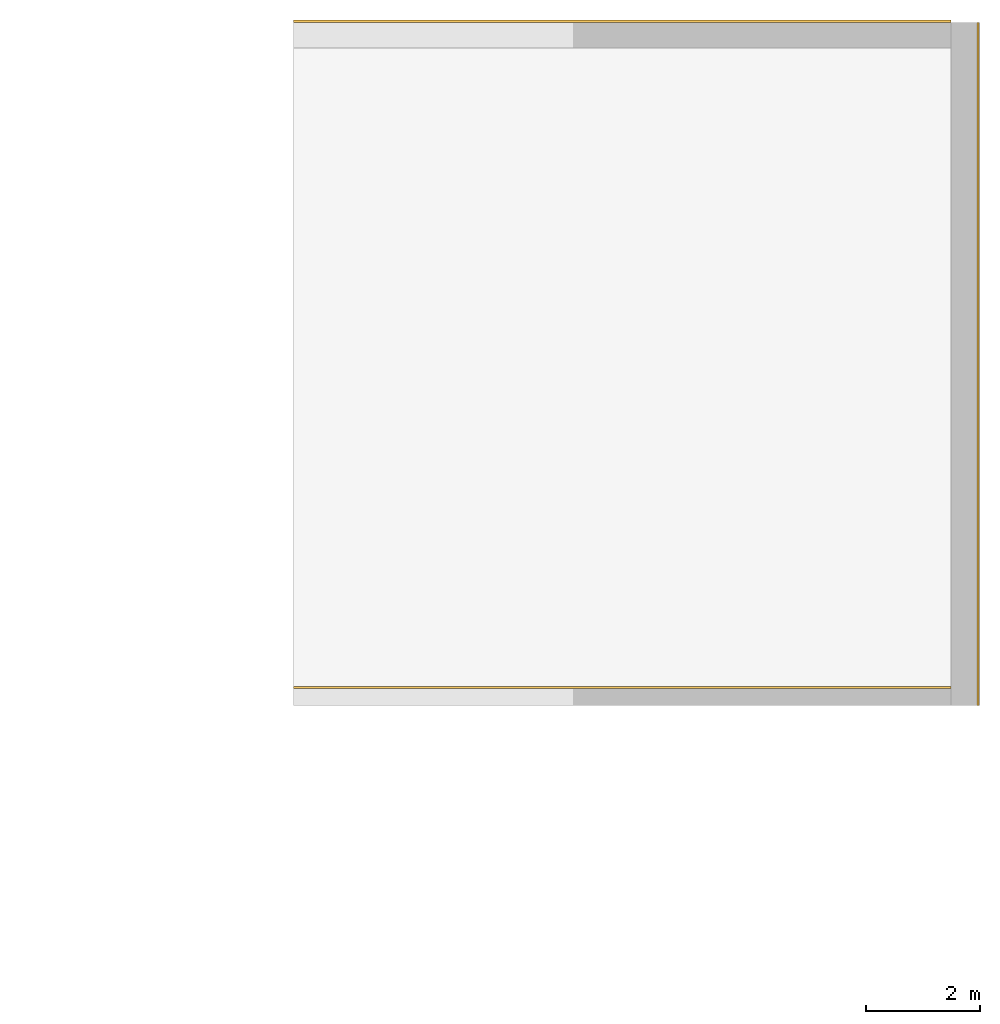
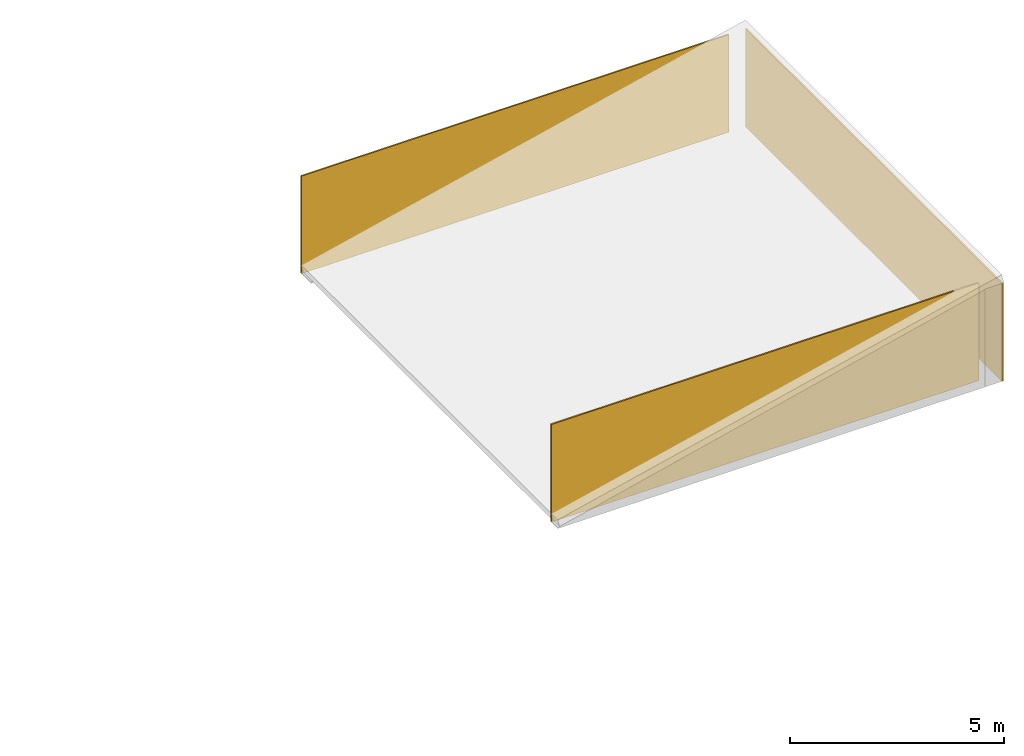
# One storey, part 2 of 2: 3 coverings.
"""IFC4 building model written with IfcOpenShell, lengths in metres."""

from ifc_helpers import new_model, si_unit, direction, frame, origin, place, context, subcontext, project, spatial, polyline, outline, extrude, material, layer, layer_set, type_object, element, save


model = new_model("IFC4")

# Units and contexts
model_context = context("Model", 3, precision=1e-05, world=origin(), true_north=direction((0.0, 1.0)))
body_context = subcontext(model_context, "Body", "Model", "MODEL_VIEW")
ifc_project = project(units=[si_unit("LENGTHUNIT", "METRE"), si_unit("AREAUNIT", "SQUARE_METRE"), si_unit("VOLUMEUNIT", "CUBIC_METRE"), si_unit("PLANEANGLEUNIT", "RADIAN"), si_unit("MASSUNIT", "GRAM", prefix="KILO")], contexts=[model_context])

# Site, building, storey
site_placement = place(None, origin())
site = spatial("IfcSite", under=ifc_project, at=site_placement, CompositionType="ELEMENT")
building_placement = place(site_placement, origin())
building = spatial("IfcBuilding", under=site, at=building_placement, Name="Windward Yard Aquatics Centre", CompositionType="ELEMENT")
storey_placement = place(building_placement, frame((0.0, 0.0, 27.199951171875)))
storey = spatial("IfcBuildingStorey", under=building, at=storey_placement, Name="Upper Roof", CompositionType="ELEMENT", Elevation=27.199951171875)

# Coverings
ifc_material = material(Name="Natural limestone cladding", Category="masonry")
ifc_layer = layer(ifc_material, 0.0400390625)
ifc_layer_set = layer_set([ifc_layer], Name="H natural stone cladding 40")
covering_type = type_object("IfcCoveringType", Name="H natural stone cladding 40", PredefinedType="CLADDING", material=ifc_layer_set)
covering_1_placement = place(storey_placement, origin())
element("IfcCovering", 1, at=covering_1_placement, inside=storey, type_object=covering_type, Name="Stone cladding panel 1", PredefinedType="CLADDING", context=body_context, shape_type="SweptSolid", body=[
    extrude(outline(polyline([(152.0, 84.0), (152.0400390625, 84.0), (152.0400390625, 96.0), (152.0, 96.0), (152.0, 84.0)])), origin(), (0.0, 0.0, 1.0), 2.800048828125),
])
covering_2_placement = place(storey_placement, origin())
element("IfcCovering", 2, at=covering_2_placement, inside=storey, type_object=covering_type, Name="Stone cladding panel 2", PredefinedType="CLADDING", context=body_context, shape_type="SweptSolid", body=[
    extrude(outline(polyline([(140.0, 96.0), (140.0, 96.0400390625), (151.550048828125, 96.0400390625), (151.550048828125, 96.0), (140.0, 96.0)])), origin(), (0.0, 0.0, 1.0), 2.7880859375),
])
covering_3_placement = place(storey_placement, origin())
element("IfcCovering", 3, at=covering_3_placement, inside=storey, type_object=covering_type, Name="Stone cladding panel 3", PredefinedType="CLADDING", context=body_context, shape_type="SweptSolid", body=[
    extrude(outline(polyline([(140.0, 84.300048828125), (140.0, 84.340087890625), (151.550048828125, 84.340087890625), (151.550048828125, 84.300048828125), (140.0, 84.300048828125)])), origin(), (0.0, 0.0, 1.0), 2.7880859375),
])

save(model, "model.ifc")
